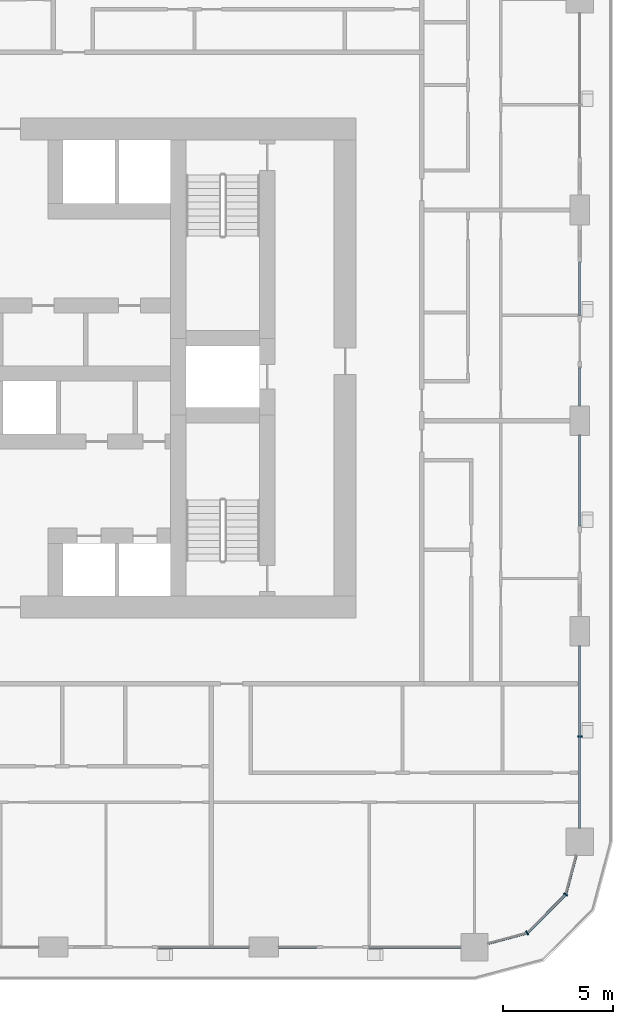
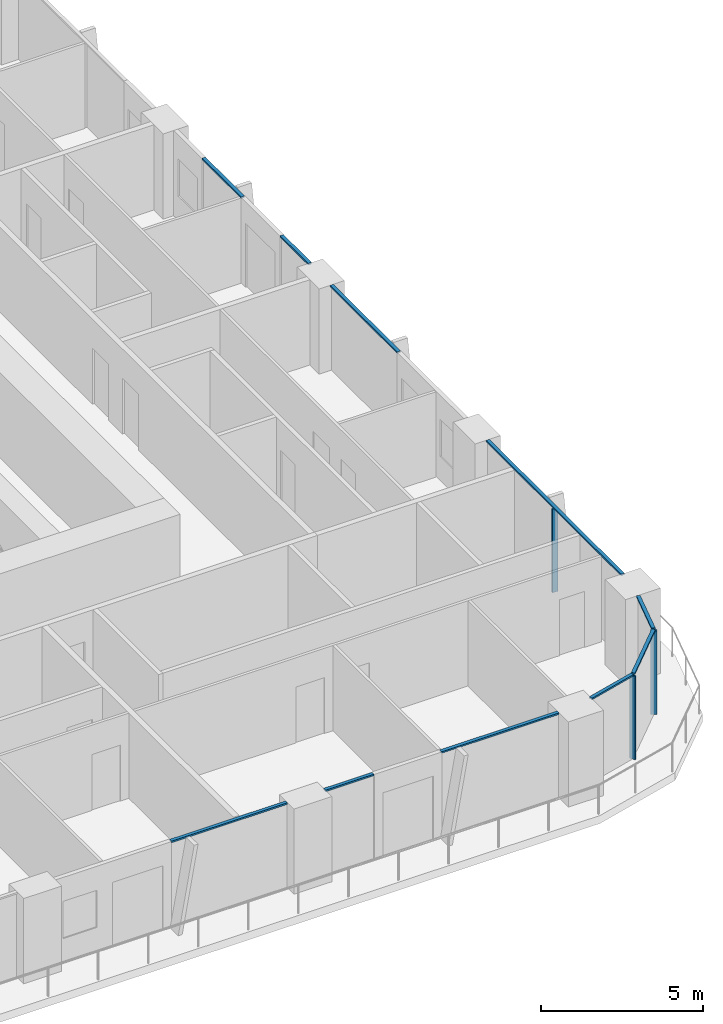
# One storey, part 4 of 21: 13 members, 6 elements without a shape of their own.
"""IFC4 building model written with IfcOpenShell, lengths in metres."""

from ifc_helpers import new_model, si_unit, direction, frame, origin, origin_2d, place, context, subcontext, project, spatial, rectangle, extrude, material, layer, layer_set, material_profile, profile_set, type_object, element, aggregate, save


model = new_model("IFC4")

# Units and contexts
model_context = context("Model", 3, precision=1e-05, world=origin(), true_north=direction((0.0, 1.0)))
body_context = subcontext(model_context, "Body", "Model", "MODEL_VIEW")
ifc_project = project(units=[si_unit("LENGTHUNIT", "METRE"), si_unit("AREAUNIT", "SQUARE_METRE"), si_unit("VOLUMEUNIT", "CUBIC_METRE"), si_unit("PLANEANGLEUNIT", "RADIAN"), si_unit("MASSUNIT", "GRAM", prefix="KILO")], contexts=[model_context])

# Site, building, storey
site_placement = place(None, origin())
site = spatial("IfcSite", under=ifc_project, at=site_placement, CompositionType="ELEMENT")
building_placement = place(site_placement, origin())
building = spatial("IfcBuilding", under=site, at=building_placement, Name="Madar Terraces", CompositionType="ELEMENT")
storey_placement = place(building_placement, frame((0.0, 0.0, 46.89990234375)))
storey = spatial("IfcBuildingStorey", under=building, at=storey_placement, Name="L11", CompositionType="ELEMENT", Elevation=46.89990234375)

# Curtain wall, member
ifc_material_1 = material(Name="Glass, ceramic frit dark grey, with black aluminium frame", Category="aluminium")
ifc_layer = layer(ifc_material_1, 0.199951171875)
ifc_layer_set = layer_set([ifc_layer], Name="Facade curtain wall, fritted glass")
curtain_wall_type = type_object("IfcCurtainWallType", Name="Facade curtain wall, fritted glass", PredefinedType="NOTDEFINED", material=ifc_layer_set)
curtain_wall_1_placement = place(storey_placement, origin())
curtain_wall_1 = element("IfcCurtainWall", 1, at=curtain_wall_1_placement, inside=storey, type_object=curtain_wall_type, Name="Outer skin curtain wall east bay 1", PredefinedType="NOTDEFINED")
ifc_material_2 = material(Name="Aluminium, black anodised", Category="aluminium")
ifc_material_profile_1 = material_profile(ifc_material_2, rectangle(XDim=0.199951171875, YDim=0.06005859375, at=origin_2d()), Name="Facade mullion 60x200")
ifc_profile_set_1 = profile_set([ifc_material_profile_1], Name="Aluminium, black anodised")
member_type_1 = type_object("IfcMemberType", Name="Facade mullion 60x200", PredefinedType="MULLION", material=ifc_profile_set_1)
member_1_placement = place(storey_placement, frame((57.60009765625, 9.60009765625, 0.0), z_axis=(0.0, 0.0, 1.0), x_axis=(-1.0, 0.0, 0.0)))
member_1 = element("IfcMember", 2, at=member_1_placement, type_object=member_type_1, Name="Mullion 1", PredefinedType="MULLION", context=body_context, shape_type="SweptSolid", body=[
    extrude(rectangle(XDim=0.199951171875, YDim=0.06005859375, at=origin_2d()), origin(), (0.0, 0.0, 1.0), 3.14013671875),
])

# Curtain wall, members
curtain_wall_2_placement = place(storey_placement, origin())
curtain_wall_2 = element("IfcCurtainWall", 3, at=curtain_wall_2_placement, inside=storey, type_object=curtain_wall_type, Name="Outer skin curtain wall south-east corner", PredefinedType="NOTDEFINED")
member_2_placement = place(storey_placement, frame((55.199951171875, 0.64306640625, 0.0), z_axis=(0.0, 0.0, 1.0), x_axis=(-0.499999989586, 0.866025409797, 0.0)))
member_2 = element("IfcMember", 4, at=member_2_placement, type_object=member_type_1, Name="Mullion 1", PredefinedType="MULLION", context=body_context, shape_type="SweptSolid", body=[
    extrude(rectangle(XDim=0.199951171875, YDim=0.06005859375, at=origin_2d()), origin(), (0.0, 0.0, 1.0), 3.14013671875),
])
member_3_placement = place(storey_placement, frame((56.95703125, 2.39990234375, 0.0), z_axis=(0.0, 0.0, 1.0), x_axis=(-0.866025409797, 0.499999989586, 0.0)))
member_3 = element("IfcMember", 5, at=member_3_placement, type_object=member_type_1, Name="Mullion 2", PredefinedType="MULLION", context=body_context, shape_type="SweptSolid", body=[
    extrude(rectangle(XDim=0.199951171875, YDim=0.06005859375, at=origin_2d()), origin(), (0.0, 0.0, 1.0), 3.14013671875),
])

# Curtain wall, member
curtain_wall_3_placement = place(storey_placement, origin())
curtain_wall_3 = element("IfcCurtainWall", 6, at=curtain_wall_3_placement, inside=storey, type_object=curtain_wall_type, Name="Outer skin curtain wall south bay 4", PredefinedType="NOTDEFINED")
ifc_material_3 = material(Name="Aluminium, black anodised", Category="aluminium")
ifc_material_profile_2 = material_profile(ifc_material_3, rectangle(XDim=0.1201171875, YDim=0.06005859375, at=origin_2d()), Name="Facade transom 60x120")
ifc_profile_set_2 = profile_set([ifc_material_profile_2], Name="Aluminium, black anodised")
member_type_2 = type_object("IfcMemberType", Name="Facade transom 60x120", PredefinedType="USERDEFINED", material=ifc_profile_set_2)
member_4_placement = place(storey_placement, frame((38.39990234375, 0.0, 3.170166015625), z_axis=(1.0, 0.0, 0.0), x_axis=(0.0, 1.0, 0.0)))
member_4 = element("IfcMember", 7, at=member_4_placement, type_object=member_type_2, Name="Transom 1", ObjectType="TRANSOM", PredefinedType="USERDEFINED", context=body_context, shape_type="SweptSolid", body=[
    extrude(rectangle(XDim=0.1201171875, YDim=0.06005859375, at=origin_2d()), origin(), (0.0, 0.0, 1.0), 4.125),
])
aggregate(curtain_wall_3, [member_4])

# Curtain wall, members
curtain_wall_4_placement = place(storey_placement, origin())
curtain_wall_4 = element("IfcCurtainWall", 8, at=curtain_wall_4_placement, inside=storey, type_object=curtain_wall_type, Name="Outer skin curtain wall south bay 5", PredefinedType="NOTDEFINED")
member_5_placement = place(storey_placement, frame((43.875, 0.0, 3.170166015625), z_axis=(1.0, 0.0, 0.0), x_axis=(0.0, 1.0, 0.0)))
member_5 = element("IfcMember", 9, at=member_5_placement, type_object=member_type_2, Name="Transom 1", ObjectType="TRANSOM", PredefinedType="USERDEFINED", context=body_context, shape_type="SweptSolid", body=[
    extrude(rectangle(XDim=0.1201171875, YDim=0.06005859375, at=origin_2d()), origin(), (0.0, 0.0, 1.0), 1.72509765625),
])
member_6_placement = place(storey_placement, frame((48.0, 0.0, 3.170166015625), z_axis=(1.0, 0.0, 0.0), x_axis=(0.0, 1.0, 0.0)))
member_6 = element("IfcMember", 10, at=member_6_placement, type_object=member_type_2, Name="Transom 2", ObjectType="TRANSOM", PredefinedType="USERDEFINED", context=body_context, shape_type="SweptSolid", body=[
    extrude(rectangle(XDim=0.1201171875, YDim=0.06005859375, at=origin_2d()), origin(), (0.0, 0.0, 1.0), 4.175048828125),
])
aggregate(curtain_wall_4, [member_5, member_6])

# Member
member_7_placement = place(storey_placement, frame((57.60009765625, 5.425048828125, 3.170166015625), z_axis=(0.0, 1.0, 0.0), x_axis=(-1.0, 0.0, 0.0)))
member_7 = element("IfcMember", 11, at=member_7_placement, type_object=member_type_2, Name="Transom 1", ObjectType="TRANSOM", PredefinedType="USERDEFINED", context=body_context, shape_type="SweptSolid", body=[
    extrude(rectangle(XDim=0.1201171875, YDim=0.06005859375, at=origin_2d()), origin(), (0.0, 0.0, 1.0), 8.300048828125),
])

aggregate(curtain_wall_1, [member_1, member_7])

# Curtain wall, member
curtain_wall_5_placement = place(storey_placement, origin())
curtain_wall_5 = element("IfcCurtainWall", 12, at=curtain_wall_5_placement, inside=storey, type_object=curtain_wall_type, Name="Outer skin curtain wall east bay 2", PredefinedType="NOTDEFINED")
member_8_placement = place(storey_placement, frame((57.60009765625, 19.199951171875, 3.170166015625), z_axis=(0.0, 1.0, 0.0), x_axis=(-1.0, 0.0, 0.0)))
member_8 = element("IfcMember", 13, at=member_8_placement, type_object=member_type_2, Name="Transom 1", ObjectType="TRANSOM", PredefinedType="USERDEFINED", context=body_context, shape_type="SweptSolid", body=[
    extrude(rectangle(XDim=0.1201171875, YDim=0.06005859375, at=origin_2d()), origin(), (0.0, 0.0, 1.0), 4.125),
])
aggregate(curtain_wall_5, [member_8])

# Curtain wall, members
curtain_wall_6_placement = place(storey_placement, origin())
curtain_wall_6 = element("IfcCurtainWall", 14, at=curtain_wall_6_placement, inside=storey, type_object=curtain_wall_type, Name="Outer skin curtain wall east bay 3", PredefinedType="NOTDEFINED")
member_9_placement = place(storey_placement, frame((57.60009765625, 24.675048828125, 3.170166015625), z_axis=(0.0, 1.0, 0.0), x_axis=(-1.0, 0.0, 0.0)))
member_9 = element("IfcMember", 15, at=member_9_placement, type_object=member_type_2, Name="Transom 1", ObjectType="TRANSOM", PredefinedType="USERDEFINED", context=body_context, shape_type="SweptSolid", body=[
    extrude(rectangle(XDim=0.1201171875, YDim=0.06005859375, at=origin_2d()), origin(), (0.0, 0.0, 1.0), 1.724853515625),
])
member_10_placement = place(storey_placement, frame((57.60009765625, 28.800048828125, 3.170166015625), z_axis=(0.0, 1.0, 0.0), x_axis=(-1.0, 0.0, 0.0)))
member_10 = element("IfcMember", 16, at=member_10_placement, type_object=member_type_2, Name="Transom 2", ObjectType="TRANSOM", PredefinedType="USERDEFINED", context=body_context, shape_type="SweptSolid", body=[
    extrude(rectangle(XDim=0.1201171875, YDim=0.06005859375, at=origin_2d()), origin(), (0.0, 0.0, 1.0), 2.39990234375),
])
aggregate(curtain_wall_6, [member_9, member_10])

# Member
member_11_placement = place(storey_placement, frame((53.425048828125, 0.16748046875, 3.170166015625), z_axis=(0.965938406667, 0.258772089929, 0.0), x_axis=(-0.258772089929, 0.965938406667, 0.0)))
member_11 = element("IfcMember", 17, at=member_11_placement, type_object=member_type_2, Name="Transom 1", ObjectType="TRANSOM", PredefinedType="USERDEFINED", context=body_context, shape_type="SweptSolid", body=[
    extrude(rectangle(XDim=0.1201171875, YDim=0.06005859375, at=origin_2d()), origin(), (0.0, 0.0, 1.0), 1.8076171875),
])

member_12_placement = place(storey_placement, frame((55.22119140625, 0.664306640625, 3.170166015625), z_axis=(0.707106781187, 0.707106781187, 0.0), x_axis=(-0.707106781187, 0.707106781187, 0.0)))
member_12 = element("IfcMember", 18, at=member_12_placement, type_object=member_type_2, Name="Transom 2", ObjectType="TRANSOM", PredefinedType="USERDEFINED", context=body_context, shape_type="SweptSolid", body=[
    extrude(rectangle(XDim=0.1201171875, YDim=0.06005859375, at=origin_2d()), origin(), (0.0, 0.0, 1.0), 2.4248046875),
])

member_13_placement = place(storey_placement, frame((56.964599609375, 2.428955078125, 3.170166015625), z_axis=(0.258898097903, 0.965904640688, 0.0), x_axis=(-0.965904640688, 0.258898097903, 0.0)))
member_13 = element("IfcMember", 19, at=member_13_placement, type_object=member_type_2, Name="Transom 3", ObjectType="TRANSOM", PredefinedType="USERDEFINED", context=body_context, shape_type="SweptSolid", body=[
    extrude(rectangle(XDim=0.1201171875, YDim=0.06005859375, at=origin_2d()), origin(), (0.0, 0.0, 1.0), 1.8076171875),
])

aggregate(curtain_wall_2, [member_2, member_11, member_3, member_12, member_13])

save(model, "model.ifc")
